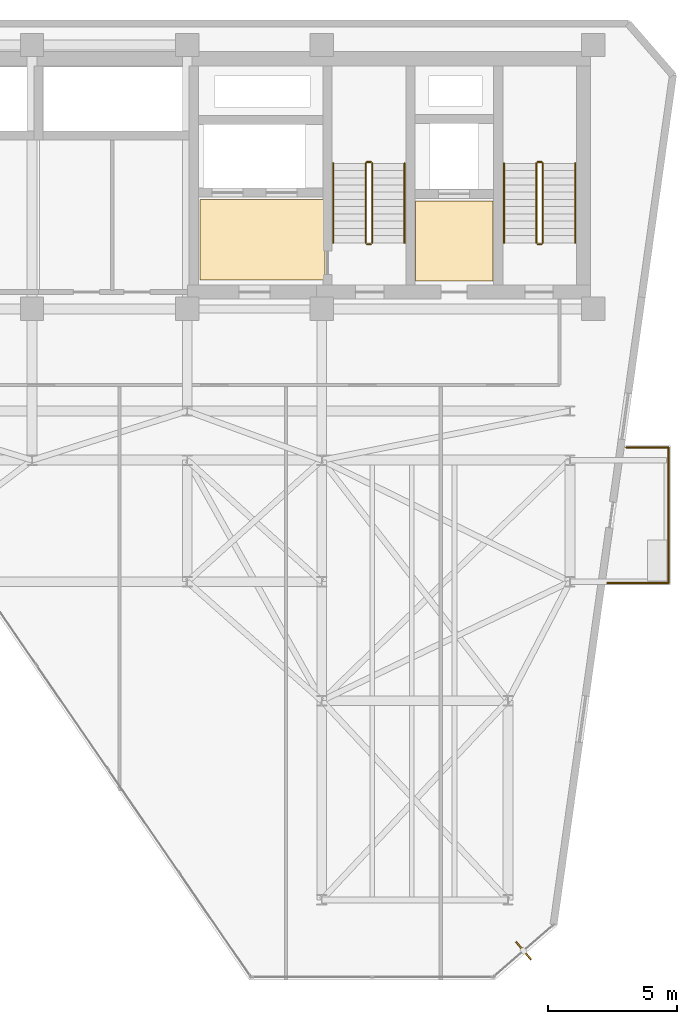
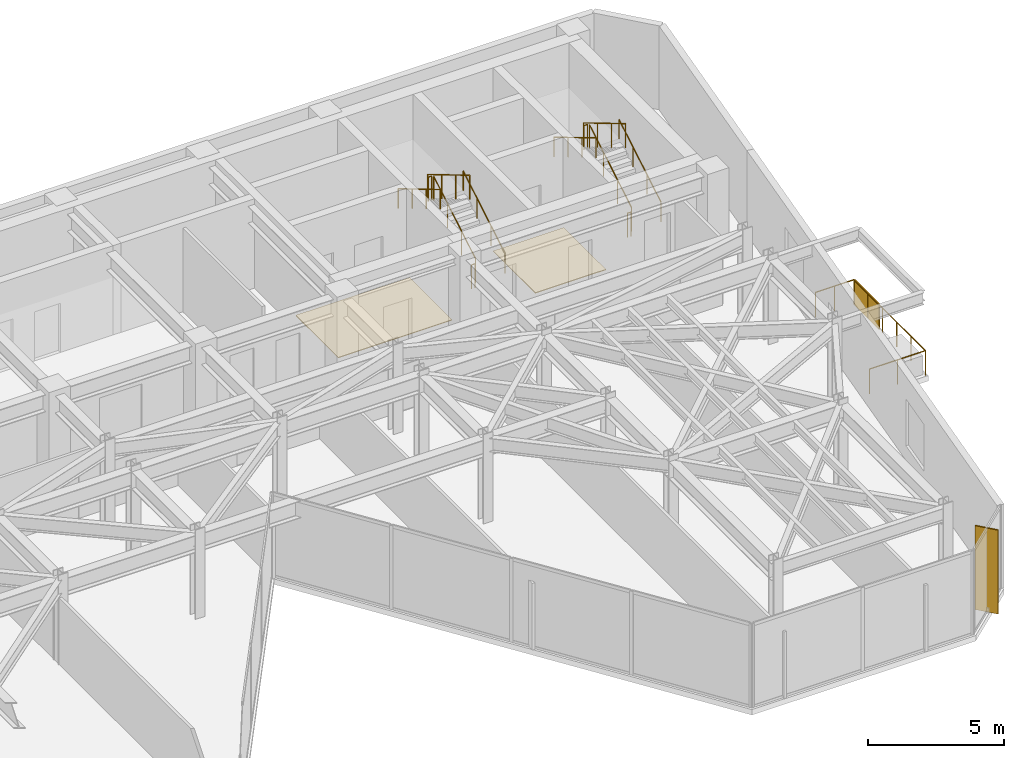
# One storey, part 26 of 26: 15 railings, 2 coverings, 2 shading devices.
"""IFC4 building model written with IfcOpenShell, lengths in metres."""

from ifc_helpers import new_model, si_unit, direction, frame, origin, origin_2d, place, context, subcontext, project, spatial, polyline, rectangle, circle, outline, extrude, material, layer, layer_set, type_object, element, save


model = new_model("IFC4")

# Units and contexts
model_context = context("Model", 3, precision=1e-05, world=origin(), true_north=direction((0.0, 1.0)))
body_context = subcontext(model_context, "Body", "Model", "MODEL_VIEW")
ifc_project = project(units=[si_unit("LENGTHUNIT", "METRE"), si_unit("AREAUNIT", "SQUARE_METRE"), si_unit("VOLUMEUNIT", "CUBIC_METRE"), si_unit("PLANEANGLEUNIT", "RADIAN"), si_unit("MASSUNIT", "GRAM", prefix="KILO")], contexts=[model_context])

# Site, building, storey
site_placement = place(None, origin())
site = spatial("IfcSite", under=ifc_project, at=site_placement, CompositionType="ELEMENT")
building_placement = place(site_placement, origin())
building = spatial("IfcBuilding", under=site, at=building_placement, Name="Kravanh Interchange Tower", CompositionType="ELEMENT")
storey_placement = place(building_placement, frame((0.0, 0.0, 212.5)))
storey = spatial("IfcBuildingStorey", under=building, at=storey_placement, Name="L51", CompositionType="ELEMENT", Elevation=212.5)

# Coverings
ifc_material_1 = material(Name="Cementitious Terrazzo Tile")
ifc_layer_1 = layer(ifc_material_1, 0.030029296875)
ifc_layer_set_1 = layer_set([ifc_layer_1], Name="Honed Terrazzo Lobby Flooring 30mm")
covering_type = type_object("IfcCoveringType", Name="Honed Terrazzo Lobby Flooring 30mm", PredefinedType="FLOORING", material=ifc_layer_set_1)
covering_1_placement = place(storey_placement, origin())
element("IfcCovering", 1, at=covering_1_placement, inside=storey, type_object=covering_type, Name="L51 Service Lift Lobby Floor Finish", PredefinedType="FLOORING", context=body_context, shape_type="SweptSolid", body=[
    extrude(outline(polyline([(59.6298828125, 41.52001953125), (62.6201171875, 41.52001953125), (62.6201171875, 38.429931640625), (59.6298828125, 38.429931640625), (59.6298828125, 41.52001953125)])), origin(), (0.0, 0.0, 1.0), 0.030029296875),
])
covering_2_placement = place(storey_placement, origin())
element("IfcCovering", 2, at=covering_2_placement, inside=storey, type_object=covering_type, Name="L51 Firefighting Lobby Floor Finish", PredefinedType="FLOORING", context=body_context, shape_type="SweptSolid", body=[
    extrude(outline(polyline([(56.1201171875, 38.4599609375), (51.300048828125, 38.4599609375), (51.300048828125, 41.580078125), (56.1201171875, 41.580078125), (56.1201171875, 38.4599609375)])), origin(), (0.0, 0.0, 1.0), 0.030029296875),
])

# Shading device
ifc_material_2 = material(Name="Perforated Anodised Bronze Aluminium", Category="aluminium")
ifc_layer_2 = layer(ifc_material_2, 0.0400390625)
ifc_layer_set_2 = layer_set([ifc_layer_2], Name="Perforated Bronze Balcony Privacy Screen 1150mm")
shading_device_type_1 = type_object("IfcShadingDeviceType", Name="Perforated Bronze Balcony Privacy Screen 1150mm", PredefinedType="USERDEFINED", material=ifc_layer_set_2)
shading_device_1_placement = place(storey_placement, frame((69.409912109375, 31.02001953125, 0.0), z_axis=(0.0, 0.0, 1.0), x_axis=(1.0, 0.0, 0.0)))
element("IfcShadingDevice", 3, at=shading_device_1_placement, inside=storey, type_object=shading_device_type_1, Name="L51 E Perforated Bronze BALCONY SCREEN", ObjectType="SCREEN", PredefinedType="USERDEFINED", context=body_context, shape_type="SweptSolid", body=[
    extrude(rectangle(XDim=0.0400390625, YDim=1.800048828125, at=origin_2d()), origin(), (0.0, 0.0, 1.0), 1.14990234375),
])

# Railings
ifc_material_3 = material(Name="Stainless Steel 316", Category="steel")
ifc_layer_3 = layer(ifc_material_3, 0.06005859375)
ifc_layer_set_3 = layer_set([ifc_layer_3], Name="Perimeter Balcony and Terrace Guardrail Stainless 316 1120mm")
railing_type_1 = type_object("IfcRailingType", Name="Perimeter Balcony and Terrace Guardrail Stainless 316 1120mm", PredefinedType="GUARDRAIL", material=ifc_layer_set_3)
railing_1_placement = place(storey_placement, frame((69.409912109375, 31.989990234375, 0.0)))
element("IfcRailing", 4, at=railing_1_placement, inside=storey, type_object=railing_type_1, Name="L51 E Balcony Guardrail 1", PredefinedType="GUARDRAIL", context=body_context, shape_type="SweptSolid", body=[
    extrude(circle(Radius=0.02392578125, at=origin_2d()), frame((0.0, 0.0, 1.09619140625), z_axis=(0.0, -1.0, 0.0), x_axis=(1.0, 0.0, 0.0)), (0.0, 0.0, 1.0), 5.239990234375),
    extrude(circle(Radius=0.02099609375, at=origin_2d()), origin(), (0.0, 0.0, 1.0), 1.072021484375),
    extrude(circle(Radius=0.02099609375, at=origin_2d()), frame((0.0, -1.048095703125, 0.0)), (0.0, 0.0, 1.0), 1.072021484375),
    extrude(circle(Radius=0.02099609375, at=origin_2d()), frame((0.0, -2.095947265625, 0.0)), (0.0, 0.0, 1.0), 1.072021484375),
    extrude(circle(Radius=0.02099609375, at=origin_2d()), frame((0.0, -3.14404296875, 0.0)), (0.0, 0.0, 1.0), 1.072021484375),
    extrude(circle(Radius=0.02099609375, at=origin_2d()), frame((0.0, -4.19189453125, 0.0)), (0.0, 0.0, 1.0), 1.072021484375),
    extrude(circle(Radius=0.02099609375, at=origin_2d()), frame((0.0, -5.239990234375, 0.0)), (0.0, 0.0, 1.0), 1.072021484375),
])
railing_2_placement = place(storey_placement, frame((69.409912109375, 26.75, 0.0)))
element("IfcRailing", 5, at=railing_2_placement, inside=storey, type_object=railing_type_1, Name="L51 E Balcony Guardrail 2", PredefinedType="GUARDRAIL", context=body_context, shape_type="SweptSolid", body=[
    extrude(circle(Radius=0.02392578125, at=origin_2d()), frame((0.0, 0.0, 1.09619140625), z_axis=(-1.0, 0.0, 0.0), x_axis=(0.0, -1.0, 0.0)), (0.0, 0.0, 1.0), 2.370849609375),
    extrude(circle(Radius=0.02099609375, at=origin_2d()), origin(), (0.0, 0.0, 1.0), 1.072021484375),
    extrude(circle(Radius=0.02099609375, at=origin_2d()), frame((-1.185546875, 0.0, 0.0)), (0.0, 0.0, 1.0), 1.072021484375),
    extrude(circle(Radius=0.02099609375, at=origin_2d()), frame((-2.370849609375, 0.0, 0.0)), (0.0, 0.0, 1.0), 1.072021484375),
])
railing_3_placement = place(storey_placement, frame((67.775390625, 31.989990234375, 0.0)))
element("IfcRailing", 6, at=railing_3_placement, inside=storey, type_object=railing_type_1, Name="L51 E Balcony Guardrail 3", PredefinedType="GUARDRAIL", context=body_context, shape_type="SweptSolid", body=[
    extrude(circle(Radius=0.02392578125, at=origin_2d()), frame((0.0, 0.0, 1.09619140625), z_axis=(1.0, 0.0, 0.0), x_axis=(0.0, 1.0, 0.0)), (0.0, 0.0, 1.0), 1.634521484375),
    extrude(circle(Radius=0.02099609375, at=origin_2d()), origin(), (0.0, 0.0, 1.0), 1.072021484375),
    extrude(circle(Radius=0.02099609375, at=origin_2d()), frame((0.8173828125, 0.0, 0.0)), (0.0, 0.0, 1.0), 1.072021484375),
    extrude(circle(Radius=0.02099609375, at=origin_2d()), frame((1.634521484375, 0.0, 0.0)), (0.0, 0.0, 1.0), 1.072021484375),
])
ifc_material_4 = material(Name="Structural Steel S355", Category="steel")
ifc_layer_4 = layer(ifc_material_4, 0.050048828125)
ifc_layer_set_4 = layer_set([ifc_layer_4], Name="Stair Well Guardrail Structural Steel S355 1100mm")
railing_type_2 = type_object("IfcRailingType", Name="Stair Well Guardrail Structural Steel S355 1100mm", PredefinedType="GUARDRAIL", material=ifc_layer_set_4)
railing_4_placement = place(storey_placement, frame((64.550048828125, 39.89990234375, 0.166748046875)))
element("IfcRailing", 7, at=railing_4_placement, inside=storey, type_object=railing_type_2, Name="L51 ST1 stair guard 1", PredefinedType="GUARDRAIL", context=body_context, shape_type="SweptSolid", body=[
    extrude(circle(Radius=0.02392578125, at=origin_2d()), frame((0.0, 0.0, 1.076171875), z_axis=(0.0, 0.859308565015, 0.511457515432), x_axis=(-1.0, 0.0, 0.0)), (0.0, 0.0, 1.0), 3.58447265625),
    extrude(circle(Radius=0.02099609375, at=origin_2d()), origin(), (0.0, 0.0, 1.0), 1.052001953125),
    extrude(circle(Radius=0.02099609375, at=origin_2d()), frame((0.0, 1.026611328125, 0.611083984375)), (0.0, 0.0, 1.0), 1.052001953125),
    extrude(circle(Radius=0.02099609375, at=origin_2d()), frame((0.0, 2.053466796875, 1.22216796875)), (0.0, 0.0, 1.0), 1.052001953125),
    extrude(circle(Radius=0.02099609375, at=origin_2d()), frame((0.0, 3.080078125, 1.833251953125)), (0.0, 0.0, 1.0), 1.052001953125),
])
railing_5_placement = place(storey_placement, frame((64.5, 43.030029296875, 2.0)))
element("IfcRailing", 8, at=railing_5_placement, inside=storey, type_object=railing_type_2, Name="L51 ST1 stair guard 2", PredefinedType="GUARDRAIL", context=body_context, shape_type="SweptSolid", body=[
    extrude(circle(Radius=0.02392578125, at=origin_2d()), frame((0.0, 0.0, 1.076171875), z_axis=(-1.0, 0.0, 0.0), x_axis=(0.0, -1.0, 0.0)), (0.0, 0.0, 1.0), 0.14990234375),
    extrude(circle(Radius=0.02099609375, at=origin_2d()), origin(), (0.0, 0.0, 1.0), 1.052001953125),
    extrude(circle(Radius=0.02099609375, at=origin_2d()), frame((-0.14990234375, 0.0, 0.0)), (0.0, 0.0, 1.0), 1.052001953125),
])
railing_6_placement = place(storey_placement, frame((64.300048828125, 42.97998046875, 2.166748046875)))
element("IfcRailing", 9, at=railing_6_placement, inside=storey, type_object=railing_type_2, Name="L51 ST1 stair guard 3", PredefinedType="GUARDRAIL", context=body_context, shape_type="SweptSolid", body=[
    extrude(circle(Radius=0.02392578125, at=origin_2d()), frame((0.0, 0.0, 1.076171875), z_axis=(0.0, -0.859308565015, 0.511457515432), x_axis=(1.0, 0.0, 0.0)), (0.0, 0.0, 1.0), 3.58447265625),
    extrude(circle(Radius=0.02099609375, at=origin_2d()), origin(), (0.0, 0.0, 1.0), 1.052001953125),
    extrude(circle(Radius=0.02099609375, at=origin_2d()), frame((0.0, -1.026611328125, 0.611083984375)), (0.0, 0.0, 1.0), 1.052001953125),
    extrude(circle(Radius=0.02099609375, at=origin_2d()), frame((0.0, -2.053466796875, 1.22216796875)), (0.0, 0.0, 1.0), 1.052001953125),
    extrude(circle(Radius=0.02099609375, at=origin_2d()), frame((0.0, -3.080078125, 1.833251953125)), (0.0, 0.0, 1.0), 1.052001953125),
])
railing_7_placement = place(storey_placement, frame((64.5, 39.85009765625, 0.0)))
element("IfcRailing", 10, at=railing_7_placement, inside=storey, type_object=railing_type_2, Name="L51 ST1 stair guard 4", PredefinedType="GUARDRAIL", context=body_context, shape_type="SweptSolid", body=[
    extrude(circle(Radius=0.02392578125, at=origin_2d()), frame((0.0, 0.0, 1.076171875), z_axis=(-1.0, 0.0, 0.0), x_axis=(0.0, -1.0, 0.0)), (0.0, 0.0, 1.0), 0.14990234375),
    extrude(circle(Radius=0.02099609375, at=origin_2d()), origin(), (0.0, 0.0, 1.0), 1.052001953125),
    extrude(circle(Radius=0.02099609375, at=origin_2d()), frame((-0.14990234375, 0.0, 0.0)), (0.0, 0.0, 1.0), 1.052001953125),
])
railing_8_placement = place(storey_placement, frame((57.949951171875, 39.89990234375, 0.166748046875)))
element("IfcRailing", 11, at=railing_8_placement, inside=storey, type_object=railing_type_2, Name="L51 ST2 stair guard 1", PredefinedType="GUARDRAIL", context=body_context, shape_type="SweptSolid", body=[
    extrude(circle(Radius=0.02392578125, at=origin_2d()), frame((0.0, 0.0, 1.076171875), z_axis=(0.0, 0.859308565015, 0.511457515432), x_axis=(-1.0, 0.0, 0.0)), (0.0, 0.0, 1.0), 3.58447265625),
    extrude(circle(Radius=0.02099609375, at=origin_2d()), origin(), (0.0, 0.0, 1.0), 1.052001953125),
    extrude(circle(Radius=0.02099609375, at=origin_2d()), frame((0.0, 1.026611328125, 0.611083984375)), (0.0, 0.0, 1.0), 1.052001953125),
    extrude(circle(Radius=0.02099609375, at=origin_2d()), frame((0.0, 2.053466796875, 1.22216796875)), (0.0, 0.0, 1.0), 1.052001953125),
    extrude(circle(Radius=0.02099609375, at=origin_2d()), frame((0.0, 3.080078125, 1.833251953125)), (0.0, 0.0, 1.0), 1.052001953125),
])
railing_9_placement = place(storey_placement, frame((57.89990234375, 43.030029296875, 2.0)))
element("IfcRailing", 12, at=railing_9_placement, inside=storey, type_object=railing_type_2, Name="L51 ST2 stair guard 2", PredefinedType="GUARDRAIL", context=body_context, shape_type="SweptSolid", body=[
    extrude(circle(Radius=0.02392578125, at=origin_2d()), frame((0.0, 0.0, 1.076171875), z_axis=(-1.0, 0.0, 0.0), x_axis=(0.0, -1.0, 0.0)), (0.0, 0.0, 1.0), 0.14990234375),
    extrude(circle(Radius=0.02099609375, at=origin_2d()), origin(), (0.0, 0.0, 1.0), 1.052001953125),
    extrude(circle(Radius=0.02099609375, at=origin_2d()), frame((-0.14990234375, 0.0, 0.0)), (0.0, 0.0, 1.0), 1.052001953125),
])
railing_10_placement = place(storey_placement, frame((57.699951171875, 42.97998046875, 2.166748046875)))
element("IfcRailing", 13, at=railing_10_placement, inside=storey, type_object=railing_type_2, Name="L51 ST2 stair guard 3", PredefinedType="GUARDRAIL", context=body_context, shape_type="SweptSolid", body=[
    extrude(circle(Radius=0.02392578125, at=origin_2d()), frame((0.0, 0.0, 1.076171875), z_axis=(0.0, -0.859308565015, 0.511457515432), x_axis=(1.0, 0.0, 0.0)), (0.0, 0.0, 1.0), 3.58447265625),
    extrude(circle(Radius=0.02099609375, at=origin_2d()), origin(), (0.0, 0.0, 1.0), 1.052001953125),
    extrude(circle(Radius=0.02099609375, at=origin_2d()), frame((0.0, -1.026611328125, 0.611083984375)), (0.0, 0.0, 1.0), 1.052001953125),
    extrude(circle(Radius=0.02099609375, at=origin_2d()), frame((0.0, -2.053466796875, 1.22216796875)), (0.0, 0.0, 1.0), 1.052001953125),
    extrude(circle(Radius=0.02099609375, at=origin_2d()), frame((0.0, -3.080078125, 1.833251953125)), (0.0, 0.0, 1.0), 1.052001953125),
])
railing_11_placement = place(storey_placement, frame((57.89990234375, 39.85009765625, 0.0)))
element("IfcRailing", 14, at=railing_11_placement, inside=storey, type_object=railing_type_2, Name="L51 ST2 stair guard 4", PredefinedType="GUARDRAIL", context=body_context, shape_type="SweptSolid", body=[
    extrude(circle(Radius=0.02392578125, at=origin_2d()), frame((0.0, 0.0, 1.076171875), z_axis=(-1.0, 0.0, 0.0), x_axis=(0.0, -1.0, 0.0)), (0.0, 0.0, 1.0), 0.14990234375),
    extrude(circle(Radius=0.02099609375, at=origin_2d()), origin(), (0.0, 0.0, 1.0), 1.052001953125),
    extrude(circle(Radius=0.02099609375, at=origin_2d()), frame((-0.14990234375, 0.0, 0.0)), (0.0, 0.0, 1.0), 1.052001953125),
])
ifc_material_5 = material(Name="Stainless Steel 304", Category="steel")
ifc_layer_5 = layer(ifc_material_5, 0.044921875)
ifc_layer_set_5 = layer_set([ifc_layer_5], Name="Tubular Stair Handrail Stainless 304 900mm")
railing_type_3 = type_object("IfcRailingType", Name="Tubular Stair Handrail Stainless 304 900mm", PredefinedType="HANDRAIL", material=ifc_layer_set_5)
railing_12_placement = place(storey_placement, frame((65.800048828125, 39.89990234375, 0.166748046875)))
element("IfcRailing", 15, at=railing_12_placement, inside=storey, type_object=railing_type_3, Name="L51 ST1 stair handrail 1", PredefinedType="HANDRAIL", context=body_context, shape_type="SweptSolid", body=[
    extrude(circle(Radius=0.02392578125, at=origin_2d()), frame((0.0, 0.0, 0.8759765625), z_axis=(0.0, 0.859308565015, 0.511457515432), x_axis=(-1.0, 0.0, 0.0)), (0.0, 0.0, 1.0), 3.58447265625),
    extrude(circle(Radius=0.02099609375, at=origin_2d()), origin(), (0.0, 0.0, 1.0), 0.851806640625),
    extrude(circle(Radius=0.02099609375, at=origin_2d()), frame((0.0, 1.026611328125, 0.611083984375)), (0.0, 0.0, 1.0), 0.851806640625),
    extrude(circle(Radius=0.02099609375, at=origin_2d()), frame((0.0, 2.053466796875, 1.22216796875)), (0.0, 0.0, 1.0), 0.851806640625),
    extrude(circle(Radius=0.02099609375, at=origin_2d()), frame((0.0, 3.080078125, 1.833251953125)), (0.0, 0.0, 1.0), 0.851806640625),
])
railing_13_placement = place(storey_placement, frame((63.050048828125, 42.97998046875, 2.166748046875)))
element("IfcRailing", 16, at=railing_13_placement, inside=storey, type_object=railing_type_3, Name="L51 ST1 stair handrail 2", PredefinedType="HANDRAIL", context=body_context, shape_type="SweptSolid", body=[
    extrude(circle(Radius=0.02392578125, at=origin_2d()), frame((0.0, 0.0, 0.8759765625), z_axis=(0.0, -0.859308565015, 0.511457515432), x_axis=(1.0, 0.0, 0.0)), (0.0, 0.0, 1.0), 3.58447265625),
    extrude(circle(Radius=0.02099609375, at=origin_2d()), origin(), (0.0, 0.0, 1.0), 0.851806640625),
    extrude(circle(Radius=0.02099609375, at=origin_2d()), frame((0.0, -1.026611328125, 0.611083984375)), (0.0, 0.0, 1.0), 0.851806640625),
    extrude(circle(Radius=0.02099609375, at=origin_2d()), frame((0.0, -2.053466796875, 1.22216796875)), (0.0, 0.0, 1.0), 0.851806640625),
    extrude(circle(Radius=0.02099609375, at=origin_2d()), frame((0.0, -3.080078125, 1.833251953125)), (0.0, 0.0, 1.0), 0.851806640625),
])
railing_14_placement = place(storey_placement, frame((59.199951171875, 39.89990234375, 0.166748046875)))
element("IfcRailing", 17, at=railing_14_placement, inside=storey, type_object=railing_type_3, Name="L51 ST2 stair handrail 1", PredefinedType="HANDRAIL", context=body_context, shape_type="SweptSolid", body=[
    extrude(circle(Radius=0.02392578125, at=origin_2d()), frame((0.0, 0.0, 0.8759765625), z_axis=(0.0, 0.859308565015, 0.511457515432), x_axis=(-1.0, 0.0, 0.0)), (0.0, 0.0, 1.0), 3.58447265625),
    extrude(circle(Radius=0.02099609375, at=origin_2d()), origin(), (0.0, 0.0, 1.0), 0.851806640625),
    extrude(circle(Radius=0.02099609375, at=origin_2d()), frame((0.0, 1.026611328125, 0.611083984375)), (0.0, 0.0, 1.0), 0.851806640625),
    extrude(circle(Radius=0.02099609375, at=origin_2d()), frame((0.0, 2.053466796875, 1.22216796875)), (0.0, 0.0, 1.0), 0.851806640625),
    extrude(circle(Radius=0.02099609375, at=origin_2d()), frame((0.0, 3.080078125, 1.833251953125)), (0.0, 0.0, 1.0), 0.851806640625),
])
railing_15_placement = place(storey_placement, frame((56.449951171875, 42.97998046875, 2.166748046875)))
element("IfcRailing", 18, at=railing_15_placement, inside=storey, type_object=railing_type_3, Name="L51 ST2 stair handrail 2", PredefinedType="HANDRAIL", context=body_context, shape_type="SweptSolid", body=[
    extrude(circle(Radius=0.02392578125, at=origin_2d()), frame((0.0, 0.0, 0.8759765625), z_axis=(0.0, -0.859308565015, 0.511457515432), x_axis=(1.0, 0.0, 0.0)), (0.0, 0.0, 1.0), 3.58447265625),
    extrude(circle(Radius=0.02099609375, at=origin_2d()), origin(), (0.0, 0.0, 1.0), 0.851806640625),
    extrude(circle(Radius=0.02099609375, at=origin_2d()), frame((0.0, -1.026611328125, 0.611083984375)), (0.0, 0.0, 1.0), 0.851806640625),
    extrude(circle(Radius=0.02099609375, at=origin_2d()), frame((0.0, -2.053466796875, 1.22216796875)), (0.0, 0.0, 1.0), 0.851806640625),
    extrude(circle(Radius=0.02099609375, at=origin_2d()), frame((0.0, -3.080078125, 1.833251953125)), (0.0, 0.0, 1.0), 0.851806640625),
])

# Shading device
ifc_material_6 = material(Name="Anodised Champagne Bronze Aluminium", Category="aluminium")
ifc_layer_6 = layer(ifc_material_6, 0.06005859375)
ifc_layer_set_6 = layer_set([ifc_layer_6], Name="Vertical Bronze Solar Fin 900mm")
shading_device_type_2 = type_object("IfcShadingDeviceType", Name="Vertical Bronze Solar Fin 900mm", PredefinedType="USERDEFINED", material=ifc_layer_set_6)
shading_device_2_placement = place(storey_placement, frame((63.80322265625, 12.530517578125, 0.0), z_axis=(0.0, 0.0, 1.0), x_axis=(0.656059988016, -0.754708746554, 0.0)))
element("IfcShadingDevice", 19, at=shading_device_2_placement, inside=storey, type_object=shading_device_type_2, Name="L51 BRONZE SOLAR FIN 2", ObjectType="FIN", PredefinedType="USERDEFINED", context=body_context, shape_type="SweptSolid", body=[
    extrude(rectangle(XDim=0.89990234375, YDim=0.06005859375, at=origin_2d()), origin(), (0.0, 0.0, 1.0), 3.7548828125),
])

save(model, "model.ifc")
